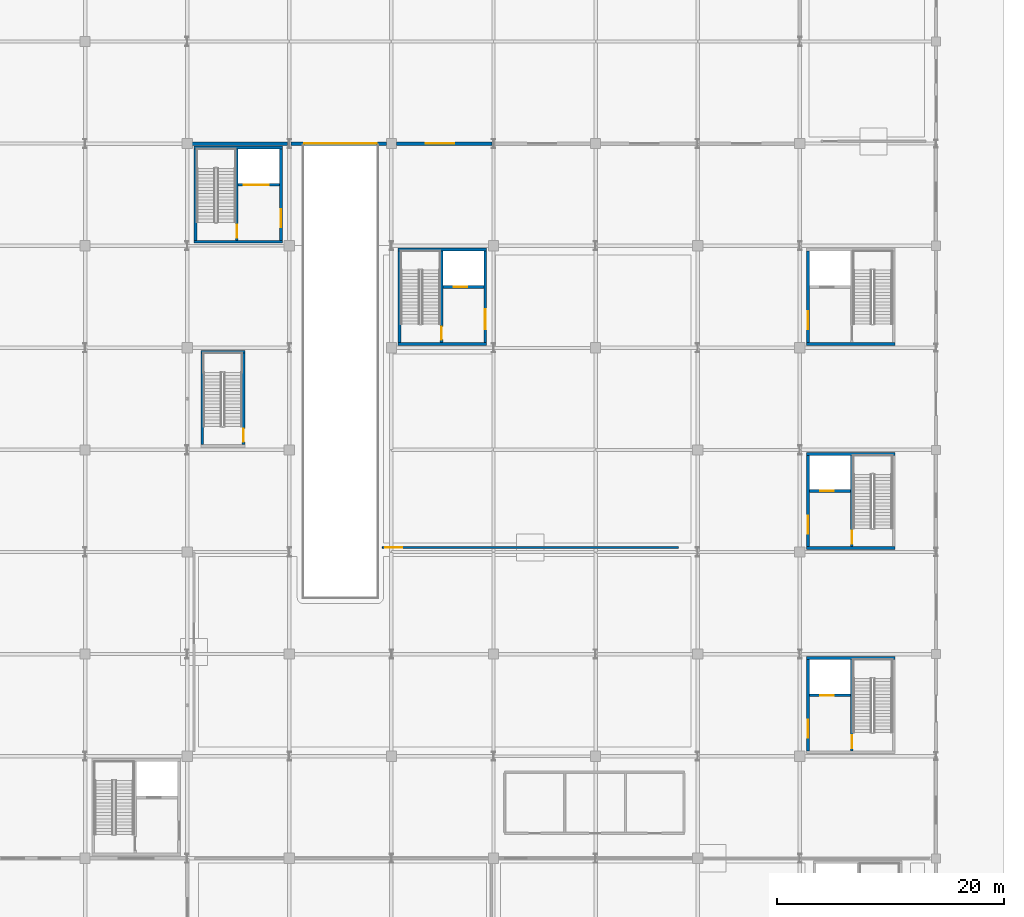
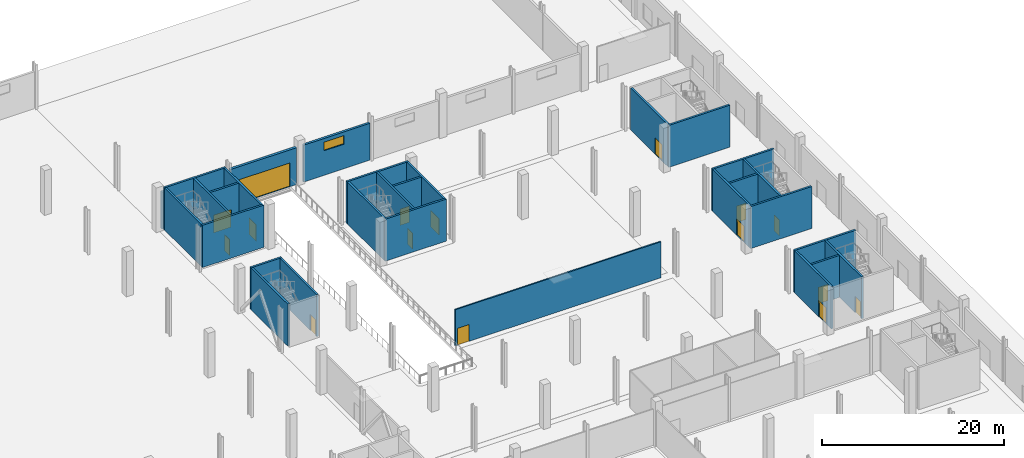
# One storey, part 36 of 58: 30 walls, 16 doors, 1 window, 17 openings.
"""IFC4 building model written with IfcOpenShell, lengths in metres."""

import ifcopenshell
import ifcopenshell.guid

model = None  # the IFC model being written
_history = None  # IfcOwnerHistory: only IFC2X3 demands one
_inside = {}  # id of a spatial element -> (the spatial element, [elements in it])
_under = {}  # id of a project, library or spatial element -> (it, [spatial elements below it])
_declared = {}  # id of a project -> (the project, [libraries it declares])
_typed = {}  # id of a type object -> (the type object, [elements of that type])
_made_of = {}  # id of a material, layer set ... -> (it, [elements and type objects made of it])


def new_model(schema):
    """Start an empty IFC model of exactly this schema.

    Asked for "IFC4X3", IfcOpenShell would pick the latest addendum, in which some entities
    have other attributes; the version numbers below select the first issue.
    IFC2X3 requires an IfcOwnerHistory on every rooted entity: one is made here for all.
    """
    global model, _history
    if schema == "IFC4X3":
        model = ifcopenshell.file(schema_version=(4, 3, 0, 0))
    else:
        model = ifcopenshell.file(schema=schema)
    _inside.clear()
    _under.clear()
    _declared.clear()
    _typed.clear()
    _made_of.clear()
    _history = None
    if model.schema == "IFC2X3":
        org = make("IfcOrganization", Name="unknown")
        user = make(
            "IfcPersonAndOrganization",
            ThePerson=make("IfcPerson", FamilyName="unknown"),
            TheOrganization=org,
        )
        app = make(
            "IfcApplication",
            ApplicationDeveloper=org,
            Version="unknown",
            ApplicationFullName="unknown",
            ApplicationIdentifier="unknown",
        )
        _history = make(
            "IfcOwnerHistory",
            OwningUser=user,
            OwningApplication=app,
            ChangeAction="ADDED",
            CreationDate=0,
        )
    return model


def make(cls, **values):
    """One entity of the class cls with the attributes given. An attribute that is None is left unset."""
    return model.create_entity(
        cls, **{name: value for name, value in values.items() if value is not None}
    )


def rooted(cls, **values):
    """An entity with a GlobalId (a new one), such as an element, a storey or a relation."""
    return make(cls, GlobalId=ifcopenshell.guid.new(), OwnerHistory=_history, **values)


def si_unit(unit_type, name, prefix=None):
    """IfcSIUnit, for example si_unit("LENGTHUNIT", "METRE", prefix="MILLI")."""
    return make("IfcSIUnit", UnitType=unit_type, Prefix=prefix, Name=name)


def assignment(units):
    """IfcUnitAssignment: the units of a project."""
    return None if units is None else make("IfcUnitAssignment", Units=units)


def point(xyz):
    """IfcCartesianPoint."""
    return None if xyz is None else make("IfcCartesianPoint", Coordinates=xyz)


def direction(xyz):
    """IfcDirection."""
    return None if xyz is None else make("IfcDirection", DirectionRatios=xyz)


def frame(location, z_axis=None, x_axis=None):
    """IfcAxis2Placement3D, a coordinate frame: its origin and axes. An axis left out is left unset."""
    return make(
        "IfcAxis2Placement3D",
        Location=point(location),
        Axis=direction(z_axis),
        RefDirection=direction(x_axis),
    )


def frame_2d(location, x_axis=None):
    """IfcAxis2Placement2D, a coordinate frame in the plane: its origin and x axis."""
    return make(
        "IfcAxis2Placement2D", Location=point(location), RefDirection=direction(x_axis)
    )


def origin():
    """The frame at (0, 0, 0) with its axes left unset."""
    return frame((0.0, 0.0, 0.0))


def place(relative_to, where):
    """IfcLocalPlacement: puts the frame where relative to a parent placement (None: the world)."""
    return make(
        "IfcLocalPlacement", PlacementRelTo=relative_to, RelativePlacement=where
    )


def context(
    kind, dimensions, precision=None, world=None, true_north=None, identifier=None
):
    """IfcGeometricRepresentationContext, for example the 3D "Model" context."""
    return make(
        "IfcGeometricRepresentationContext",
        ContextIdentifier=identifier,
        ContextType=kind,
        CoordinateSpaceDimension=dimensions,
        Precision=precision,
        WorldCoordinateSystem=world,
        TrueNorth=true_north,
    )


def subcontext(parent, identifier, kind, view, scale=None):
    """IfcGeometricRepresentationSubContext, for example "Body" below "Model"."""
    return make(
        "IfcGeometricRepresentationSubContext",
        ContextIdentifier=identifier,
        ContextType=kind,
        ParentContext=parent,
        TargetScale=scale,
        TargetView=view,
    )


def project(units=None, contexts=None):
    """IfcProject with its units and contexts."""
    return rooted(
        "IfcProject",
        Name="project",
        RepresentationContexts=contexts,
        UnitsInContext=assignment(units),
    )


def spatial(cls, under=None, at=None, **own):
    """A site, building, storey or space (cls), placed at a placement, below another one or the project."""
    s = rooted(cls, ObjectPlacement=at, **own)
    if under is not None:
        _under.setdefault(under.id(), (under, []))[1].append(s)
    return s


def profile(cls, at=None, kind="AREA", **sizes):
    """A parametric profile (cls). Its sizes go by their IFC names, for example OverallWidth=200.0."""
    return make(cls, ProfileType=kind, Position=at, **sizes)


def rectangle(**sizes):
    """IfcRectangleProfileDef."""
    return profile("IfcRectangleProfileDef", **sizes)


def extrude(swept, where, along, depth):
    """IfcExtrudedAreaSolid: the profile swept, set in the frame where, extruded along a direction by depth."""
    return make(
        "IfcExtrudedAreaSolid",
        SweptArea=swept,
        Position=where,
        ExtrudedDirection=direction(along),
        Depth=depth,
    )


def shape(context_of_items, identifier, shape_type, items):
    """IfcShapeRepresentation: the items that make up one representation, for example the "Body"."""
    return make(
        "IfcShapeRepresentation",
        ContextOfItems=context_of_items,
        RepresentationIdentifier=identifier,
        RepresentationType=shape_type,
        Items=items,
    )


def material(Name=None, Category=None):
    """IfcMaterial."""
    return make("IfcMaterial", Name=Name, Category=Category)


def layer(
    of_material, thickness, ventilated=None, Name=None, Category=None, Priority=None
):
    """IfcMaterialLayer: one layer of a wall or slab, of a material (None: an air gap)."""
    return make(
        "IfcMaterialLayer",
        Material=of_material,
        LayerThickness=thickness,
        IsVentilated=ventilated,
        Name=Name,
        Category=Category,
        Priority=Priority,
    )


def layer_set(layers, Name=None):
    """IfcMaterialLayerSet."""
    return make("IfcMaterialLayerSet", MaterialLayers=layers, LayerSetName=Name)


def made_of(thing, what):
    """Note that an element or type object is made of a material, layer set ...; save() writes the relation."""
    if what is not None:
        _made_of.setdefault(what.id(), (what, []))[1].append(thing)
    return thing


def type_object(cls, material=None, **own):
    """A type object (cls), such as IfcWallType, which elements share."""
    return made_of(rooted(cls, **own), material)


def element(
    cls,
    number,
    at=None,
    inside=None,
    cuts=None,
    type_object=None,
    material=None,
    context=None,
    identifier="Body",
    shape_type=None,
    held_by="IfcProductDefinitionShape",
    body=None,
    shapes=None,
    **own,
):
    """One element of the class cls, such as IfcWall. Its Tag is "e" and its number.

    at: its placement. inside: the storey or other place that contains it. cuts: it is an
    opening in that element (IfcRelVoidsElement). A single representation is given by context,
    identifier, shape_type and body (its items); several are given by shapes. held_by: the class
    of the entity that holds the representations. save() writes the other relations.
    """
    e = rooted(cls, Tag="e%d" % number, ObjectPlacement=at, **own)
    if body is not None:
        shapes = [shape(context, identifier, shape_type, body)]
    if shapes is not None:
        e.Representation = make(held_by, Representations=shapes)
    if inside is not None:
        _inside.setdefault(inside.id(), (inside, []))[1].append(e)
    if cuts is not None:
        rooted(
            "IfcRelVoidsElement", RelatingBuildingElement=cuts, RelatedOpeningElement=e
        )
    if type_object is not None:
        _typed.setdefault(type_object.id(), (type_object, []))[1].append(e)
    return made_of(e, material)


def fill(opening, filler):
    """IfcRelFillsElement: the door or window that sits in an opening."""
    return rooted(
        "IfcRelFillsElement",
        RelatingOpeningElement=opening,
        RelatedBuildingElement=filler,
    )


def aggregate(whole, parts):
    """IfcRelAggregates: a whole, such as a stair, and the parts it consists of."""
    return rooted("IfcRelAggregates", RelatingObject=whole, RelatedObjects=parts)


def save(model, path):
    """Write the relations noted so far, then the file.

    IfcRelAggregates (storeys below a building ...), IfcRelContainedInSpatialStructure (elements
    in a storey), IfcRelDefinesByType, IfcRelAssociatesMaterial and IfcRelDeclares: one each for
    every whole, place, type object, material and project.
    """
    for whole, parts in _under.values():
        aggregate(whole, parts)
    for where, things in _inside.values():
        rooted(
            "IfcRelContainedInSpatialStructure",
            RelatedElements=things,
            RelatingStructure=where,
        )
    for kind, things in _typed.values():
        rooted("IfcRelDefinesByType", RelatedObjects=things, RelatingType=kind)
    for what, things in _made_of.values():
        rooted("IfcRelAssociatesMaterial", RelatedObjects=things, RelatingMaterial=what)
    for by, libraries in _declared.values():
        rooted("IfcRelDeclares", RelatingContext=by, RelatedDefinitions=libraries)
    model.write(path)


model = new_model("IFC4")

# Units and contexts
model_context = context("Model", 3, precision=1e-05, world=origin(), true_north=direction((0.0, 1.0)))
body_context = subcontext(model_context, "Body", "Model", "MODEL_VIEW")
ifc_project = project(units=[si_unit("LENGTHUNIT", "METRE"), si_unit("AREAUNIT", "SQUARE_METRE"), si_unit("VOLUMEUNIT", "CUBIC_METRE"), si_unit("PLANEANGLEUNIT", "RADIAN"), si_unit("MASSUNIT", "GRAM", prefix="KILO")], contexts=[model_context])

# Site, building, storey
site_placement = place(None, origin())
site = spatial("IfcSite", under=ifc_project, at=site_placement, CompositionType="ELEMENT")
building_placement = place(site_placement, origin())
building = spatial("IfcBuilding", under=site, at=building_placement, Name="Barlavento Convention Centre", CompositionType="ELEMENT")
storey_placement = place(building_placement, origin())
storey = spatial("IfcBuildingStorey", under=building, at=storey_placement, Name="L00", CompositionType="ELEMENT", Elevation=0.0)

# Wall
ifc_material_1 = material(Name="Glazed white architectural terracotta on Concrete C40/50", Category="masonry")
ifc_layer_1 = layer(ifc_material_1, 0.2900390625)
ifc_layer_set_1 = layer_set([ifc_layer_1], Name="ARC-WL-EXT-290")
wall_type_1 = type_object("IfcWallType", Name="ARC-WL-EXT-290", PredefinedType="SOLIDWALL", material=ifc_layer_set_1)
wall_1_placement = place(storey_placement, frame((126.445068359375, 108.0, 0.0), z_axis=(0.0, 0.0, 1.0), x_axis=(1.0, 0.0, 0.0)))
element("IfcWall", 1, at=wall_1_placement, inside=storey, type_object=wall_type_1, Name="L00 exterior wall EW02", PredefinedType="SOLIDWALL", context=body_context, shape_type="SweptSolid", body=[
    extrude(rectangle(XDim=8.408447265625, YDim=0.2900390625, at=frame_2d((4.2041015625, 0.0))), origin(), (0.0, 0.0, 1.0), 4.949951171875),
])

# Wall, opening, window
wall_2_placement = place(storey_placement, frame((144.445068359375, 108.0, 0.0), z_axis=(0.0, 0.0, 1.0), x_axis=(1.0, 0.0, 0.0)))
wall_2 = element("IfcWall", 2, at=wall_2_placement, inside=storey, type_object=wall_type_1, Name="L00 exterior wall EW02", PredefinedType="SOLIDWALL", context=body_context, shape_type="SweptSolid", body=[
    extrude(rectangle(XDim=8.408447265625, YDim=0.2900390625, at=frame_2d((4.2041015625, 0.0))), origin(), (0.0, 0.0, 1.0), 4.949951171875),
])
opening_1_placement = place(wall_2_placement, frame((2.60498046875, 0.0, 3.300048828125)))
opening_1 = element("IfcOpeningElement", 3, at=opening_1_placement, cuts=wall_2, Name="Opening WN17", PredefinedType="OPENING", context=body_context, shape_type="SweptSolid", body=[
    extrude(rectangle(XDim=2.5, YDim=1.14990234375, at=frame_2d((1.25, 0.574951171875))), frame((0.0, 0.155029296875, 0.0), z_axis=(0.0, -1.0, 0.0), x_axis=(1.0, 0.0, 0.0)), (0.0, 0.0, 1.0), 0.31005859375),
])
ifc_material_2 = material(Name="Double-silver Low-E insulated glass", Category="glass")
window_type = type_object("IfcWindowType", Name="ARC-WN-CLER-2500X1150", PartitioningType="DOUBLE_PANEL_VERTICAL", PredefinedType="WINDOW", material=ifc_material_2)
window_placement = place(opening_1_placement, origin())
window = element("IfcWindow", 4, at=window_placement, inside=storey, type_object=window_type, Name="L00 exterior Low-E window WN17", OverallHeight=1.14990234375, OverallWidth=2.5, PartitioningType="SINGLE_PANEL", PredefinedType="WINDOW", context=body_context, shape_type="SweptSolid", body=[
    extrude(rectangle(XDim=2.5, YDim=1.14990234375, at=frame_2d((1.25, 0.574951171875))), frame((0.0, 0.030029296875, 0.0), z_axis=(0.0, -1.0, 0.0), x_axis=(1.0, 0.0, 0.0)), (0.0, 0.0, 1.0), 0.06005859375),
])
fill(opening_1, window)

# Wall, opening, door
ifc_material_3 = material(Name="Macau dark grey granite cladding on Concrete C40/50", Category="masonry")
ifc_layer_2 = layer(ifc_material_3, 0.320068359375)
ifc_layer_set_2 = layer_set([ifc_layer_2], Name="ARC-WL-EXT-320")
wall_type_2 = type_object("IfcWallType", Name="ARC-WL-EXT-320", PredefinedType="SOLIDWALL", material=ifc_layer_set_2)
wall_3_placement = place(storey_placement, frame((135.146484375, 108.0, 0.0), z_axis=(0.0, 0.0, 1.0), x_axis=(1.0, 0.0, 0.0)))
wall_3 = element("IfcWall", 5, at=wall_3_placement, inside=storey, type_object=wall_type_2, Name="L00 exterior wall EW01", PredefinedType="SOLIDWALL", context=body_context, shape_type="SweptSolid", body=[
    extrude(rectangle(XDim=8.408447265625, YDim=0.320068359375, at=frame_2d((4.2041015625, 0.0))), origin(), (0.0, 0.0, 1.0), 4.949951171875),
])
opening_2_placement = place(wall_3_placement, frame((1.153564453125, 0.0, 0.0)))
opening_2 = element("IfcOpeningElement", 6, at=opening_2_placement, cuts=wall_3, Name="Opening VG-01", PredefinedType="OPENING", context=body_context, shape_type="SweptSolid", body=[
    extrude(rectangle(XDim=6.39990234375, YDim=3.199951171875, at=frame_2d((3.199951171875, 1.60009765625))), frame((0.0, 0.169921875, 0.0), z_axis=(0.0, -1.0, 0.0), x_axis=(1.0, 0.0, 0.0)), (0.0, 0.0, 1.0), 0.340087890625),
])
ifc_material_4 = material(Name="Painted galvanized steel", Category="steel")
door_type_1 = type_object("IfcDoorType", Name="ARC-DR-VGATE-6400X3200", OperationType="ROLLINGUP", PredefinedType="GATE", material=ifc_material_4)
door_1_placement = place(opening_2_placement, origin())
door_1 = element("IfcDoor", 7, at=door_1_placement, inside=storey, type_object=door_type_1, Name="DR-EXT-L00-0051 Car park vehicle ramp roller shutter gate VG-01", OperationType="ROLLINGUP", OverallHeight=3.199951171875, OverallWidth=6.39990234375, PredefinedType="GATE", context=body_context, shape_type="SweptSolid", body=[
    extrude(rectangle(XDim=6.39990234375, YDim=3.199951171875, at=frame_2d((3.199951171875, 1.60009765625))), frame((0.0, 0.02490234375, 0.0), z_axis=(0.0, -1.0, 0.0), x_axis=(1.0, 0.0, 0.0)), (0.0, 0.0, 1.0), 0.050048828125),
])
fill(opening_2, door_1)

ifc_material_5 = material(Name="Fire-rated gypsum partition")
ifc_layer_3 = layer(ifc_material_5, 0.169921875)
ifc_layer_set_3 = layer_set([ifc_layer_3], Name="ARC-WL-PART-170")
wall_type_3 = type_object("IfcWallType", Name="ARC-WL-PART-170", PredefinedType="PARTITIONING", material=ifc_layer_set_3)
wall_4_placement = place(storey_placement, frame((143.199951171875, 72.39990234375, 0.0), z_axis=(0.0, 0.0, 1.0), x_axis=(1.0, 0.0, 0.0)))
wall_4 = element("IfcWall", 8, at=wall_4_placement, inside=storey, type_object=wall_type_3, Name="L00 interior wall PT-02", PredefinedType="PARTITIONING", context=body_context, shape_type="SweptSolid", body=[
    extrude(rectangle(XDim=26.10009765625, YDim=0.169921875, at=frame_2d((13.050048828125, 0.0))), origin(), (0.0, 0.0, 1.0), 4.85009765625),
])
opening_3_placement = place(wall_4_placement, frame((0.25, 0.0, 0.0)))
opening_3 = element("IfcOpeningElement", 9, at=opening_3_placement, cuts=wall_4, Name="Opening ID-04", PredefinedType="OPENING", context=body_context, shape_type="SweptSolid", body=[
    extrude(rectangle(XDim=1.5, YDim=2.25, at=frame_2d((0.75, 1.125))), frame((0.0, 0.094970703125, 0.0), z_axis=(0.0, -1.0, 0.0), x_axis=(1.0, 0.0, 0.0)), (0.0, 0.0, 1.0), 0.18994140625),
])
ifc_material_6 = material(Name="Timber veneer acoustic core", Category="wood")
door_type_2 = type_object("IfcDoorType", Name="ARC-DR-CONF-1500X2250", OperationType="DOUBLE_DOOR_SINGLE_SWING", PredefinedType="DOOR", material=ifc_material_6)
door_2_placement = place(opening_3_placement, origin())
door_2 = element("IfcDoor", 10, at=door_2_placement, inside=storey, type_object=door_type_2, Name="DR-INT-L00-0219 L00 interior door ID-04", OperationType="DOUBLE_DOOR_SINGLE_SWING", OverallHeight=2.25, OverallWidth=1.5, PredefinedType="DOOR", context=body_context, shape_type="SweptSolid", body=[
    extrude(rectangle(XDim=1.5, YDim=2.25, at=frame_2d((0.75, 1.125))), frame((0.0, 0.02490234375, 0.0), z_axis=(0.0, -1.0, 0.0), x_axis=(1.0, 0.0, 0.0)), (0.0, 0.0, 1.0), 0.050048828125),
])
fill(opening_3, door_2)

ifc_material_7 = material(Name="Concrete C50/60", Category="concrete")
ifc_layer_4 = layer(ifc_material_7, 0.25)
ifc_layer_set_4 = layer_set([ifc_layer_4], Name="STR-WL-CORE-250")
wall_type_4 = type_object("IfcWallType", Name="STR-WL-CORE-250", PredefinedType="SHEAR", material=ifc_layer_set_4)
wall_5_placement = place(storey_placement, frame((180.72509765625, 54.469970703125, 0.0), z_axis=(0.0, 0.0, 1.0), x_axis=(0.0, 1.0, 0.0)))
wall_5 = element("IfcWall", 11, at=wall_5_placement, inside=storey, type_object=wall_type_4, Name="L00 interior wall CW-02", PredefinedType="SHEAR", context=body_context, shape_type="SweptSolid", body=[
    extrude(rectangle(XDim=8.06005859375, YDim=0.25, at=frame_2d((4.030029296875, 0.0))), origin(), (0.0, 0.0, 1.0), 5.639892578125),
])
opening_4_placement = place(wall_5_placement, frame((1.14990234375, 0.0, 0.0)))
opening_4 = element("IfcOpeningElement", 12, at=opening_4_placement, cuts=wall_5, Name="Opening FD-02", PredefinedType="OPENING", context=body_context, shape_type="SweptSolid", body=[
    extrude(rectangle(XDim=1.60009765625, YDim=2.199951171875, at=frame_2d((0.800048828125, 1.10009765625))), frame((0.0, 0.135009765625, 0.0), z_axis=(0.0, -1.0, 0.0), x_axis=(1.0, 0.0, 0.0)), (0.0, 0.0, 1.0), 0.27001953125),
])
door_type_3 = type_object("IfcDoorType", Name="ARC-DR-FIRE-1600X2200", OperationType="DOUBLE_DOOR_SINGLE_SWING", PredefinedType="DOOR", material=ifc_material_4)
door_3_placement = place(opening_4_placement, origin())
door_3 = element("IfcDoor", 13, at=door_3_placement, inside=storey, type_object=door_type_3, Name="DR-INT-L00-0060 L00 LP4 lobby fire door", OperationType="DOUBLE_DOOR_SINGLE_SWING", OverallHeight=2.199951171875, OverallWidth=1.60009765625, PredefinedType="DOOR", context=body_context, shape_type="SweptSolid", body=[
    extrude(rectangle(XDim=1.60009765625, YDim=2.199951171875, at=frame_2d((0.800048828125, 1.10009765625))), frame((0.0, 0.02490234375, 0.0), z_axis=(0.0, -1.0, 0.0), x_axis=(1.0, 0.0, 0.0)), (0.0, 0.0, 1.0), 0.050048828125),
])
fill(opening_4, door_3)

# Wall
wall_6_placement = place(storey_placement, frame((180.60009765625, 62.655029296875, 0.0), z_axis=(0.0, 0.0, 1.0), x_axis=(1.0, 0.0, 0.0)))
element("IfcWall", 14, at=wall_6_placement, inside=storey, type_object=wall_type_4, Name="L00 interior wall CW-02", PredefinedType="SHEAR", context=body_context, shape_type="SweptSolid", body=[
    extrude(rectangle(XDim=7.7998046875, YDim=0.25, at=frame_2d((3.89990234375, 0.0))), origin(), (0.0, 0.0, 1.0), 5.639892578125),
])

# Wall, opening, door
wall_7_placement = place(storey_placement, frame((184.5849609375, 54.469970703125, 0.0), z_axis=(0.0, 0.0, 1.0), x_axis=(0.0, 1.0, 0.0)))
wall_7 = element("IfcWall", 15, at=wall_7_placement, inside=storey, type_object=wall_type_4, Name="L00 interior wall CW-02", PredefinedType="SHEAR", context=body_context, shape_type="SweptSolid", body=[
    extrude(rectangle(XDim=8.06005859375, YDim=0.25, at=frame_2d((4.030029296875, 0.0))), origin(), (0.0, 0.0, 1.0), 5.639892578125),
])
opening_5_placement = place(wall_7_placement, frame((0.25, 0.0, 0.0)))
opening_5 = element("IfcOpeningElement", 16, at=opening_5_placement, cuts=wall_7, Name="Opening FD-03", PredefinedType="OPENING", context=body_context, shape_type="SweptSolid", body=[
    extrude(rectangle(XDim=1.14990234375, YDim=2.14990234375, at=frame_2d((0.574951171875, 1.074951171875))), frame((0.0, 0.135009765625, 0.0), z_axis=(0.0, -1.0, 0.0), x_axis=(1.0, 0.0, 0.0)), (0.0, 0.0, 1.0), 0.27001953125),
])
door_type_4 = type_object("IfcDoorType", Name="ARC-DR-FIRE-1150X2150", OperationType="NOTDEFINED", PredefinedType="DOOR", material=ifc_material_4)
door_4_placement = place(opening_5_placement, origin())
door_4 = element("IfcDoor", 17, at=door_4_placement, inside=storey, type_object=door_type_4, Name="DR-INT-L00-0058 L00 ST05 stair fire door FD-03", OperationType="SINGLE_SWING_RIGHT", OverallHeight=2.14990234375, OverallWidth=1.14990234375, PredefinedType="DOOR", context=body_context, shape_type="SweptSolid", body=[
    extrude(rectangle(XDim=1.14990234375, YDim=2.14990234375, at=frame_2d((0.574951171875, 1.074951171875))), frame((0.0, 0.02490234375, 0.0), z_axis=(0.0, -1.0, 0.0), x_axis=(1.0, 0.0, 0.0)), (0.0, 0.0, 1.0), 0.050048828125),
])
fill(opening_5, door_4)

wall_8_placement = place(storey_placement, frame((180.85009765625, 59.3701171875, 0.0), z_axis=(0.0, 0.0, 1.0), x_axis=(1.0, 0.0, 0.0)))
wall_8 = element("IfcWall", 18, at=wall_8_placement, inside=storey, type_object=wall_type_4, Name="L00 interior wall CW-02", PredefinedType="SHEAR", context=body_context, shape_type="SweptSolid", body=[
    extrude(rectangle(XDim=3.60986328125, YDim=0.25, at=frame_2d((1.804931640625, 0.0))), origin(), (0.0, 0.0, 1.0), 5.639892578125),
])
opening_6_placement = place(wall_8_placement, frame((0.949951171875, 0.0, 0.0)))
opening_6 = element("IfcOpeningElement", 19, at=opening_6_placement, cuts=wall_8, Name="Opening LD-01", PredefinedType="OPENING", context=body_context, shape_type="SweptSolid", body=[
    extrude(rectangle(XDim=1.199951171875, YDim=2.199951171875, at=frame_2d((0.60009765625, 1.10009765625))), frame((0.0, 0.135009765625, 0.0), z_axis=(0.0, -1.0, 0.0), x_axis=(1.0, 0.0, 0.0)), (0.0, 0.0, 1.0), 0.27001953125),
])
ifc_material_8 = material(Name="Brushed stainless steel", Category="steel")
door_type_5 = type_object("IfcDoorType", Name="ARC-DR-LIFT-1200X2200", OperationType="DOUBLE_DOOR_SLIDING", PredefinedType="DOOR", material=ifc_material_8)
door_5_placement = place(opening_6_placement, origin())
door_5 = element("IfcDoor", 20, at=door_5_placement, inside=storey, type_object=door_type_5, Name="DR-INT-L00-0059 LP4 lift sliding landing door", OperationType="DOUBLE_DOOR_SLIDING", OverallHeight=2.199951171875, OverallWidth=1.199951171875, PredefinedType="DOOR", context=body_context, shape_type="SweptSolid", body=[
    extrude(rectangle(XDim=1.199951171875, YDim=2.199951171875, at=frame_2d((0.60009765625, 1.10009765625))), frame((0.0, 0.02490234375, 0.0), z_axis=(0.0, -1.0, 0.0), x_axis=(1.0, 0.0, 0.0)), (0.0, 0.0, 1.0), 0.050048828125),
])
fill(opening_6, door_5)

wall_9_placement = place(storey_placement, frame((180.72509765625, 72.469970703125, 0.0), z_axis=(0.0, 0.0, 1.0), x_axis=(0.0, 1.0, 0.0)))
wall_9 = element("IfcWall", 21, at=wall_9_placement, inside=storey, type_object=wall_type_4, Name="L00 interior wall CW-02", PredefinedType="SHEAR", context=body_context, shape_type="SweptSolid", body=[
    extrude(rectangle(XDim=8.06005859375, YDim=0.25, at=frame_2d((4.030029296875, 0.0))), origin(), (0.0, 0.0, 1.0), 5.639892578125),
])
opening_7_placement = place(wall_9_placement, frame((1.14990234375, 0.0, 0.0)))
opening_7 = element("IfcOpeningElement", 22, at=opening_7_placement, cuts=wall_9, Name="Opening FD-02", PredefinedType="OPENING", context=body_context, shape_type="SweptSolid", body=[
    extrude(rectangle(XDim=1.60009765625, YDim=2.199951171875, at=frame_2d((0.800048828125, 1.10009765625))), frame((0.0, 0.135009765625, 0.0), z_axis=(0.0, -1.0, 0.0), x_axis=(1.0, 0.0, 0.0)), (0.0, 0.0, 1.0), 0.27001953125),
])
door_6_placement = place(opening_7_placement, origin())
door_6 = element("IfcDoor", 23, at=door_6_placement, inside=storey, type_object=door_type_3, Name="DR-INT-L00-0102 L00 LP5 lobby fire door", OperationType="DOUBLE_DOOR_SINGLE_SWING", OverallHeight=2.199951171875, OverallWidth=1.60009765625, PredefinedType="DOOR", context=body_context, shape_type="SweptSolid", body=[
    extrude(rectangle(XDim=1.60009765625, YDim=2.199951171875, at=frame_2d((0.800048828125, 1.10009765625))), frame((0.0, 0.02490234375, 0.0), z_axis=(0.0, -1.0, 0.0), x_axis=(1.0, 0.0, 0.0)), (0.0, 0.0, 1.0), 0.050048828125),
])
fill(opening_7, door_6)

# Walls
for number, where, z_axis, x_axis, name in (
    (24, (180.60009765625, 72.344970703125, 0.0), (0.0, 0.0, 1.0), (1.0, 0.0, 0.0), "L00 interior wall CW-02"),
    (25, (180.60009765625, 80.655029296875, 0.0), (0.0, 0.0, 1.0), (1.0, 0.0, 0.0), "L00 interior wall CW-02"),
):
    element("IfcWall", number, at=place(storey_placement, frame(where, z_axis=z_axis, x_axis=x_axis)), inside=storey, type_object=wall_type_4, Name=name, PredefinedType="SHEAR", context=body_context, shape_type="SweptSolid", body=[
        extrude(rectangle(XDim=7.7998046875, YDim=0.25, at=frame_2d((3.89990234375, 0.0))), origin(), (0.0, 0.0, 1.0), 5.639892578125),
    ])

# Wall, opening, door
wall_10_placement = place(storey_placement, frame((184.5849609375, 72.469970703125, 0.0), z_axis=(0.0, 0.0, 1.0), x_axis=(0.0, 1.0, 0.0)))
wall_10 = element("IfcWall", 26, at=wall_10_placement, inside=storey, type_object=wall_type_4, Name="L00 interior wall CW-02", PredefinedType="SHEAR", context=body_context, shape_type="SweptSolid", body=[
    extrude(rectangle(XDim=8.06005859375, YDim=0.25, at=frame_2d((4.030029296875, 0.0))), origin(), (0.0, 0.0, 1.0), 5.639892578125),
])
opening_8_placement = place(wall_10_placement, frame((0.25, 0.0, 0.0)))
opening_8 = element("IfcOpeningElement", 27, at=opening_8_placement, cuts=wall_10, Name="Opening FD-03", PredefinedType="OPENING", context=body_context, shape_type="SweptSolid", body=[
    extrude(rectangle(XDim=1.14990234375, YDim=2.14990234375, at=frame_2d((0.574951171875, 1.074951171875))), frame((0.0, 0.135009765625, 0.0), z_axis=(0.0, -1.0, 0.0), x_axis=(1.0, 0.0, 0.0)), (0.0, 0.0, 1.0), 0.27001953125),
])
door_7_placement = place(opening_8_placement, origin())
door_7 = element("IfcDoor", 28, at=door_7_placement, inside=storey, type_object=door_type_4, Name="DR-INT-L00-0100 L00 ST07 stair fire door FD-03", OperationType="SINGLE_SWING_RIGHT", OverallHeight=2.14990234375, OverallWidth=1.14990234375, PredefinedType="DOOR", context=body_context, shape_type="SweptSolid", body=[
    extrude(rectangle(XDim=1.14990234375, YDim=2.14990234375, at=frame_2d((0.574951171875, 1.074951171875))), frame((0.0, 0.02490234375, 0.0), z_axis=(0.0, -1.0, 0.0), x_axis=(1.0, 0.0, 0.0)), (0.0, 0.0, 1.0), 0.050048828125),
])
fill(opening_8, door_7)

wall_11_placement = place(storey_placement, frame((180.85009765625, 77.3701171875, 0.0), z_axis=(0.0, 0.0, 1.0), x_axis=(1.0, 0.0, 0.0)))
wall_11 = element("IfcWall", 29, at=wall_11_placement, inside=storey, type_object=wall_type_4, Name="L00 interior wall CW-02", PredefinedType="SHEAR", context=body_context, shape_type="SweptSolid", body=[
    extrude(rectangle(XDim=3.60986328125, YDim=0.25, at=frame_2d((1.804931640625, 0.0))), origin(), (0.0, 0.0, 1.0), 5.639892578125),
])
opening_9_placement = place(wall_11_placement, frame((0.949951171875, 0.0, 0.0)))
opening_9 = element("IfcOpeningElement", 30, at=opening_9_placement, cuts=wall_11, Name="Opening LD-01", PredefinedType="OPENING", context=body_context, shape_type="SweptSolid", body=[
    extrude(rectangle(XDim=1.199951171875, YDim=2.199951171875, at=frame_2d((0.60009765625, 1.10009765625))), frame((0.0, 0.135009765625, 0.0), z_axis=(0.0, -1.0, 0.0), x_axis=(1.0, 0.0, 0.0)), (0.0, 0.0, 1.0), 0.27001953125),
])
door_8_placement = place(opening_9_placement, origin())
door_8 = element("IfcDoor", 31, at=door_8_placement, inside=storey, type_object=door_type_5, Name="DR-INT-L00-0101 LP5 lift sliding landing door", OperationType="DOUBLE_DOOR_SLIDING", OverallHeight=2.199951171875, OverallWidth=1.199951171875, PredefinedType="DOOR", context=body_context, shape_type="SweptSolid", body=[
    extrude(rectangle(XDim=1.199951171875, YDim=2.199951171875, at=frame_2d((0.60009765625, 1.10009765625))), frame((0.0, 0.02490234375, 0.0), z_axis=(0.0, -1.0, 0.0), x_axis=(1.0, 0.0, 0.0)), (0.0, 0.0, 1.0), 0.050048828125),
])
fill(opening_9, door_8)

wall_12_placement = place(storey_placement, frame((180.72509765625, 90.469970703125, 0.0), z_axis=(0.0, 0.0, 1.0), x_axis=(0.0, 1.0, 0.0)))
wall_12 = element("IfcWall", 32, at=wall_12_placement, inside=storey, type_object=wall_type_4, Name="L00 interior wall CW-02", PredefinedType="SHEAR", context=body_context, shape_type="SweptSolid", body=[
    extrude(rectangle(XDim=8.06005859375, YDim=0.25, at=frame_2d((4.030029296875, 0.0))), origin(), (0.0, 0.0, 1.0), 5.639892578125),
])
opening_10_placement = place(wall_12_placement, frame((1.14990234375, 0.0, 0.0)))
opening_10 = element("IfcOpeningElement", 33, at=opening_10_placement, cuts=wall_12, Name="Opening FD-02", PredefinedType="OPENING", context=body_context, shape_type="SweptSolid", body=[
    extrude(rectangle(XDim=1.60009765625, YDim=2.199951171875, at=frame_2d((0.800048828125, 1.10009765625))), frame((0.0, 0.135009765625, 0.0), z_axis=(0.0, -1.0, 0.0), x_axis=(1.0, 0.0, 0.0)), (0.0, 0.0, 1.0), 0.27001953125),
])
door_9_placement = place(opening_10_placement, origin())
door_9 = element("IfcDoor", 34, at=door_9_placement, inside=storey, type_object=door_type_3, Name="DR-INT-L00-0123 L00 LP6 lobby fire door", OperationType="DOUBLE_DOOR_SINGLE_SWING", OverallHeight=2.199951171875, OverallWidth=1.60009765625, PredefinedType="DOOR", context=body_context, shape_type="SweptSolid", body=[
    extrude(rectangle(XDim=1.60009765625, YDim=2.199951171875, at=frame_2d((0.800048828125, 1.10009765625))), frame((0.0, 0.02490234375, 0.0), z_axis=(0.0, -1.0, 0.0), x_axis=(1.0, 0.0, 0.0)), (0.0, 0.0, 1.0), 0.050048828125),
])
fill(opening_10, door_9)

# Walls
wall_13_placement = place(storey_placement, frame((180.60009765625, 90.344970703125, 0.0), z_axis=(0.0, 0.0, 1.0), x_axis=(1.0, 0.0, 0.0)))
element("IfcWall", 35, at=wall_13_placement, inside=storey, type_object=wall_type_4, Name="L00 interior wall CW-02", PredefinedType="SHEAR", context=body_context, shape_type="SweptSolid", body=[
    extrude(rectangle(XDim=7.7998046875, YDim=0.25, at=frame_2d((3.89990234375, 0.0))), origin(), (0.0, 0.0, 1.0), 5.639892578125),
])
wall_14_placement = place(storey_placement, frame((144.72509765625, 90.469970703125, 0.0), z_axis=(0.0, 0.0, 1.0), x_axis=(0.0, 1.0, 0.0)))
element("IfcWall", 36, at=wall_14_placement, inside=storey, type_object=wall_type_4, Name="L00 interior wall CW-02", PredefinedType="SHEAR", context=body_context, shape_type="SweptSolid", body=[
    extrude(rectangle(XDim=8.06005859375, YDim=0.25, at=frame_2d((4.030029296875, 0.0))), origin(), (0.0, 0.0, 1.0), 5.639892578125),
])

# Wall, opening, door
wall_15_placement = place(storey_placement, frame((152.27490234375, 90.469970703125, 0.0), z_axis=(0.0, 0.0, 1.0), x_axis=(0.0, 1.0, 0.0)))
wall_15 = element("IfcWall", 37, at=wall_15_placement, inside=storey, type_object=wall_type_4, Name="L00 interior wall CW-02", PredefinedType="SHEAR", context=body_context, shape_type="SweptSolid", body=[
    extrude(rectangle(XDim=8.06005859375, YDim=0.25, at=frame_2d((4.030029296875, 0.0))), origin(), (0.0, 0.0, 1.0), 5.639892578125),
])
opening_11_placement = place(wall_15_placement, frame((1.14990234375, 0.0, 0.0)))
opening_11 = element("IfcOpeningElement", 38, at=opening_11_placement, cuts=wall_15, Name="Opening FD-01", PredefinedType="OPENING", context=body_context, shape_type="SweptSolid", body=[
    extrude(rectangle(XDim=1.800048828125, YDim=2.199951171875, at=frame_2d((0.89990234375, 1.10009765625))), frame((0.0, 0.135009765625, 0.0), z_axis=(0.0, -1.0, 0.0), x_axis=(1.0, 0.0, 0.0)), (0.0, 0.0, 1.0), 0.27001953125),
])
door_type_6 = type_object("IfcDoorType", Name="ARC-DR-FIRE-1800X2200", OperationType="DOUBLE_DOOR_SINGLE_SWING", PredefinedType="DOOR", material=ifc_material_4)
door_10_placement = place(opening_11_placement, origin())
door_10 = element("IfcDoor", 39, at=door_10_placement, inside=storey, type_object=door_type_6, Name="DR-INT-L00-0144 L00 FL1 lobby fire door", OperationType="DOUBLE_DOOR_SINGLE_SWING", OverallHeight=2.199951171875, OverallWidth=1.800048828125, PredefinedType="DOOR", context=body_context, shape_type="SweptSolid", body=[
    extrude(rectangle(XDim=1.800048828125, YDim=2.199951171875, at=frame_2d((0.89990234375, 1.10009765625))), frame((0.0, 0.02490234375, 0.0), z_axis=(0.0, -1.0, 0.0), x_axis=(1.0, 0.0, 0.0)), (0.0, 0.0, 1.0), 0.050048828125),
])
fill(opening_11, door_10)

# Walls
for number, where, z_axis, x_axis, name in (
    (40, (144.60009765625, 90.344970703125, 0.0), (0.0, 0.0, 1.0), (1.0, 0.0, 0.0), "L00 interior wall CW-02"),
    (41, (144.60009765625, 98.655029296875, 0.0), (0.0, 0.0, 1.0), (1.0, 0.0, 0.0), "L00 interior wall CW-02"),
):
    element("IfcWall", number, at=place(storey_placement, frame(where, z_axis=z_axis, x_axis=x_axis)), inside=storey, type_object=wall_type_4, Name=name, PredefinedType="SHEAR", context=body_context, shape_type="SweptSolid", body=[
        extrude(rectangle(XDim=7.7998046875, YDim=0.25, at=frame_2d((3.89990234375, 0.0))), origin(), (0.0, 0.0, 1.0), 5.639892578125),
    ])

# Wall, opening, door
wall_16_placement = place(storey_placement, frame((148.4150390625, 90.469970703125, 0.0), z_axis=(0.0, 0.0, 1.0), x_axis=(0.0, 1.0, 0.0)))
wall_16 = element("IfcWall", 42, at=wall_16_placement, inside=storey, type_object=wall_type_4, Name="L00 interior wall CW-02", PredefinedType="SHEAR", context=body_context, shape_type="SweptSolid", body=[
    extrude(rectangle(XDim=8.06005859375, YDim=0.25, at=frame_2d((4.030029296875, 0.0))), origin(), (0.0, 0.0, 1.0), 5.639892578125),
])
opening_12_placement = place(wall_16_placement, frame((0.25, 0.0, 0.0)))
opening_12 = element("IfcOpeningElement", 43, at=opening_12_placement, cuts=wall_16, Name="Opening FD-03", PredefinedType="OPENING", context=body_context, shape_type="SweptSolid", body=[
    extrude(rectangle(XDim=1.14990234375, YDim=2.14990234375, at=frame_2d((0.574951171875, 1.074951171875))), frame((0.0, 0.135009765625, 0.0), z_axis=(0.0, -1.0, 0.0), x_axis=(1.0, 0.0, 0.0)), (0.0, 0.0, 1.0), 0.27001953125),
])
door_11_placement = place(opening_12_placement, origin())
door_11 = element("IfcDoor", 44, at=door_11_placement, inside=storey, type_object=door_type_4, Name="DR-INT-L00-0142 L00 ST09 stair fire door FD-03", OperationType="SINGLE_SWING_RIGHT", OverallHeight=2.14990234375, OverallWidth=1.14990234375, PredefinedType="DOOR", context=body_context, shape_type="SweptSolid", body=[
    extrude(rectangle(XDim=1.14990234375, YDim=2.14990234375, at=frame_2d((0.574951171875, 1.074951171875))), frame((0.0, 0.02490234375, 0.0), z_axis=(0.0, -1.0, 0.0), x_axis=(1.0, 0.0, 0.0)), (0.0, 0.0, 1.0), 0.050048828125),
])
fill(opening_12, door_11)

wall_17_placement = place(storey_placement, frame((148.5400390625, 95.3701171875, 0.0), z_axis=(0.0, 0.0, 1.0), x_axis=(1.0, 0.0, 0.0)))
wall_17 = element("IfcWall", 45, at=wall_17_placement, inside=storey, type_object=wall_type_4, Name="L00 interior wall CW-02", PredefinedType="SHEAR", context=body_context, shape_type="SweptSolid", body=[
    extrude(rectangle(XDim=3.60986328125, YDim=0.25, at=frame_2d((1.804931640625, 0.0))), origin(), (0.0, 0.0, 1.0), 5.639892578125),
])
opening_13_placement = place(wall_17_placement, frame((0.949951171875, 0.0, 0.0)))
opening_13 = element("IfcOpeningElement", 46, at=opening_13_placement, cuts=wall_17, Name="Opening LD-01", PredefinedType="OPENING", context=body_context, shape_type="SweptSolid", body=[
    extrude(rectangle(XDim=1.199951171875, YDim=2.199951171875, at=frame_2d((0.60009765625, 1.10009765625))), frame((0.0, 0.135009765625, 0.0), z_axis=(0.0, -1.0, 0.0), x_axis=(1.0, 0.0, 0.0)), (0.0, 0.0, 1.0), 0.27001953125),
])
door_12_placement = place(opening_13_placement, origin())
door_12 = element("IfcDoor", 47, at=door_12_placement, inside=storey, type_object=door_type_5, Name="DR-INT-L00-0143 FL1 lift sliding landing door", OperationType="DOUBLE_DOOR_SLIDING", OverallHeight=2.199951171875, OverallWidth=1.199951171875, PredefinedType="DOOR", context=body_context, shape_type="SweptSolid", body=[
    extrude(rectangle(XDim=1.199951171875, YDim=2.199951171875, at=frame_2d((0.60009765625, 1.10009765625))), frame((0.0, 0.02490234375, 0.0), z_axis=(0.0, -1.0, 0.0), x_axis=(1.0, 0.0, 0.0)), (0.0, 0.0, 1.0), 0.050048828125),
])
fill(opening_13, door_12)

# Wall
wall_18_placement = place(storey_placement, frame((126.72509765625, 99.469970703125, 0.0), z_axis=(0.0, 0.0, 1.0), x_axis=(0.0, 1.0, 0.0)))
element("IfcWall", 48, at=wall_18_placement, inside=storey, type_object=wall_type_4, Name="L00 interior wall CW-02", PredefinedType="SHEAR", context=body_context, shape_type="SweptSolid", body=[
    extrude(rectangle(XDim=8.06005859375, YDim=0.25, at=frame_2d((4.030029296875, 0.0))), origin(), (0.0, 0.0, 1.0), 5.669921875),
])

# Wall, opening, door
wall_19_placement = place(storey_placement, frame((134.27490234375, 99.469970703125, 0.0), z_axis=(0.0, 0.0, 1.0), x_axis=(0.0, 1.0, 0.0)))
wall_19 = element("IfcWall", 49, at=wall_19_placement, inside=storey, type_object=wall_type_4, Name="L00 interior wall CW-02", PredefinedType="SHEAR", context=body_context, shape_type="SweptSolid", body=[
    extrude(rectangle(XDim=8.06005859375, YDim=0.25, at=frame_2d((4.030029296875, 0.0))), origin(), (0.0, 0.0, 1.0), 5.669921875),
])
opening_14_placement = place(wall_19_placement, frame((1.14990234375, 0.0, 0.0)))
opening_14 = element("IfcOpeningElement", 50, at=opening_14_placement, cuts=wall_19, Name="Opening FD-02", PredefinedType="OPENING", context=body_context, shape_type="SweptSolid", body=[
    extrude(rectangle(XDim=1.60009765625, YDim=2.199951171875, at=frame_2d((0.800048828125, 1.10009765625))), frame((0.0, 0.135009765625, 0.0), z_axis=(0.0, -1.0, 0.0), x_axis=(1.0, 0.0, 0.0)), (0.0, 0.0, 1.0), 0.27001953125),
])
door_13_placement = place(opening_14_placement, origin())
door_13 = element("IfcDoor", 51, at=door_13_placement, inside=storey, type_object=door_type_3, Name="DR-INT-L00-0165 L00 LF2 lobby fire door", OperationType="DOUBLE_DOOR_SINGLE_SWING", OverallHeight=2.199951171875, OverallWidth=1.60009765625, PredefinedType="DOOR", context=body_context, shape_type="SweptSolid", body=[
    extrude(rectangle(XDim=1.60009765625, YDim=2.199951171875, at=frame_2d((0.800048828125, 1.10009765625))), frame((0.0, 0.02490234375, 0.0), z_axis=(0.0, -1.0, 0.0), x_axis=(1.0, 0.0, 0.0)), (0.0, 0.0, 1.0), 0.050048828125),
])
fill(opening_14, door_13)

# Walls
for number, where, z_axis, x_axis, name in (
    (52, (126.60009765625, 99.344970703125, 0.0), (0.0, 0.0, 1.0), (1.0, 0.0, 0.0), "L00 interior wall CW-02"),
    (53, (126.60009765625, 107.655029296875, 0.0), (0.0, 0.0, 1.0), (1.0, 0.0, 0.0), "L00 interior wall CW-02"),
):
    element("IfcWall", number, at=place(storey_placement, frame(where, z_axis=z_axis, x_axis=x_axis)), inside=storey, type_object=wall_type_4, Name=name, PredefinedType="SHEAR", context=body_context, shape_type="SweptSolid", body=[
        extrude(rectangle(XDim=7.7998046875, YDim=0.25, at=frame_2d((3.89990234375, 0.0))), origin(), (0.0, 0.0, 1.0), 5.669921875),
    ])

# Wall, opening, door
wall_20_placement = place(storey_placement, frame((130.375, 99.469970703125, 0.0), z_axis=(0.0, 0.0, 1.0), x_axis=(0.0, 1.0, 0.0)))
wall_20 = element("IfcWall", 54, at=wall_20_placement, inside=storey, type_object=wall_type_4, Name="L00 interior wall CW-02", PredefinedType="SHEAR", context=body_context, shape_type="SweptSolid", body=[
    extrude(rectangle(XDim=8.06005859375, YDim=0.25, at=frame_2d((4.030029296875, 0.0))), origin(), (0.0, 0.0, 1.0), 5.669921875),
])
opening_15_placement = place(wall_20_placement, frame((0.25, 0.0, 0.0)))
opening_15 = element("IfcOpeningElement", 55, at=opening_15_placement, cuts=wall_20, Name="Opening FD-03", PredefinedType="OPENING", context=body_context, shape_type="SweptSolid", body=[
    extrude(rectangle(XDim=1.14990234375, YDim=2.14990234375, at=frame_2d((0.574951171875, 1.074951171875))), frame((0.0, 0.135009765625, 0.0), z_axis=(0.0, -1.0, 0.0), x_axis=(1.0, 0.0, 0.0)), (0.0, 0.0, 1.0), 0.27001953125),
])
door_14_placement = place(opening_15_placement, origin())
door_14 = element("IfcDoor", 56, at=door_14_placement, inside=storey, type_object=door_type_4, Name="DR-INT-L00-0163 L00 ST10 stair fire door FD-03", OperationType="SINGLE_SWING_LEFT", OverallHeight=2.14990234375, OverallWidth=1.14990234375, PredefinedType="DOOR", context=body_context, shape_type="SweptSolid", body=[
    extrude(rectangle(XDim=1.14990234375, YDim=2.14990234375, at=frame_2d((0.574951171875, 1.074951171875))), frame((0.0, 0.02490234375, 0.0), z_axis=(0.0, -1.0, 0.0), x_axis=(1.0, 0.0, 0.0)), (0.0, 0.0, 1.0), 0.050048828125),
])
fill(opening_15, door_14)

wall_21_placement = place(storey_placement, frame((130.5, 104.3701171875, 0.0), z_axis=(0.0, 0.0, 1.0), x_axis=(1.0, 0.0, 0.0)))
wall_21 = element("IfcWall", 57, at=wall_21_placement, inside=storey, type_object=wall_type_4, Name="L00 interior wall CW-02", PredefinedType="SHEAR", context=body_context, shape_type="SweptSolid", body=[
    extrude(rectangle(XDim=3.64990234375, YDim=0.25, at=frame_2d((1.824951171875, 0.0))), origin(), (0.0, 0.0, 1.0), 5.669921875),
])
opening_16_placement = place(wall_21_placement, frame((0.5, 0.0, 0.0)))
opening_16 = element("IfcOpeningElement", 58, at=opening_16_placement, cuts=wall_21, Name="Opening LD-03", PredefinedType="OPENING", context=body_context, shape_type="SweptSolid", body=[
    extrude(rectangle(XDim=2.199951171875, YDim=2.39990234375, at=frame_2d((1.10009765625, 1.199951171875))), frame((0.0, 0.135009765625, 0.0), z_axis=(0.0, -1.0, 0.0), x_axis=(1.0, 0.0, 0.0)), (0.0, 0.0, 1.0), 0.27001953125),
])
door_type_7 = type_object("IfcDoorType", Name="ARC-DR-LIFT-2200X2400", OperationType="DOUBLE_DOOR_SLIDING", PredefinedType="DOOR", material=ifc_material_8)
door_15_placement = place(opening_16_placement, origin())
door_15 = element("IfcDoor", 59, at=door_15_placement, inside=storey, type_object=door_type_7, Name="DR-INT-L00-0164 LF2 lift sliding landing door", OperationType="DOUBLE_DOOR_SLIDING", OverallHeight=2.39990234375, OverallWidth=2.199951171875, PredefinedType="DOOR", context=body_context, shape_type="SweptSolid", body=[
    extrude(rectangle(XDim=2.199951171875, YDim=2.39990234375, at=frame_2d((1.10009765625, 1.199951171875))), frame((0.0, 0.02490234375, 0.0), z_axis=(0.0, -1.0, 0.0), x_axis=(1.0, 0.0, 0.0)), (0.0, 0.0, 1.0), 0.050048828125),
])
fill(opening_16, door_15)

# Wall
wall_22_placement = place(storey_placement, frame((127.324951171875, 81.469970703125, 0.0), z_axis=(0.0, 0.0, 1.0), x_axis=(0.0, 1.0, 0.0)))
element("IfcWall", 60, at=wall_22_placement, inside=storey, type_object=wall_type_4, Name="L00 interior wall CW-02", PredefinedType="SHEAR", context=body_context, shape_type="SweptSolid", body=[
    extrude(rectangle(XDim=8.06005859375, YDim=0.25, at=frame_2d((4.030029296875, 0.0))), origin(), (0.0, 0.0, 1.0), 5.639892578125),
])

# Wall, opening, door
wall_23_placement = place(storey_placement, frame((130.97509765625, 81.469970703125, 0.0), z_axis=(0.0, 0.0, 1.0), x_axis=(0.0, 1.0, 0.0)))
wall_23 = element("IfcWall", 61, at=wall_23_placement, inside=storey, type_object=wall_type_4, Name="L00 interior wall CW-02", PredefinedType="SHEAR", context=body_context, shape_type="SweptSolid", body=[
    extrude(rectangle(XDim=8.06005859375, YDim=0.25, at=frame_2d((4.030029296875, 0.0))), origin(), (0.0, 0.0, 1.0), 5.639892578125),
])
opening_17_placement = place(wall_23_placement, frame((0.25, 0.0, 0.0)))
opening_17 = element("IfcOpeningElement", 62, at=opening_17_placement, cuts=wall_23, Name="Opening FD-03", PredefinedType="OPENING", context=body_context, shape_type="SweptSolid", body=[
    extrude(rectangle(XDim=1.14990234375, YDim=2.14990234375, at=frame_2d((0.574951171875, 1.074951171875))), frame((0.0, 0.135009765625, 0.0), z_axis=(0.0, -1.0, 0.0), x_axis=(1.0, 0.0, 0.0)), (0.0, 0.0, 1.0), 0.27001953125),
])
door_16_placement = place(opening_17_placement, origin())
door_16 = element("IfcDoor", 63, at=door_16_placement, inside=storey, type_object=door_type_4, Name="DR-INT-L00-0171 L00 ST12 stair fire door FD-03", OperationType="SINGLE_SWING_LEFT", OverallHeight=2.14990234375, OverallWidth=1.14990234375, PredefinedType="DOOR", context=body_context, shape_type="SweptSolid", body=[
    extrude(rectangle(XDim=1.14990234375, YDim=2.14990234375, at=frame_2d((0.574951171875, 1.074951171875))), frame((0.0, 0.02490234375, 0.0), z_axis=(0.0, -1.0, 0.0), x_axis=(1.0, 0.0, 0.0)), (0.0, 0.0, 1.0), 0.050048828125),
])
fill(opening_17, door_16)

# Wall
wall_24_placement = place(storey_placement, frame((127.199951171875, 89.655029296875, 0.0), z_axis=(0.0, 0.0, 1.0), x_axis=(1.0, 0.0, 0.0)))
element("IfcWall", 64, at=wall_24_placement, inside=storey, type_object=wall_type_4, Name="L00 interior wall CW-02", PredefinedType="SHEAR", context=body_context, shape_type="SweptSolid", body=[
    extrude(rectangle(XDim=3.900146484375, YDim=0.25, at=frame_2d((1.9501953125, 0.0))), origin(), (0.0, 0.0, 1.0), 5.639892578125),
])

save(model, "model.ifc")
